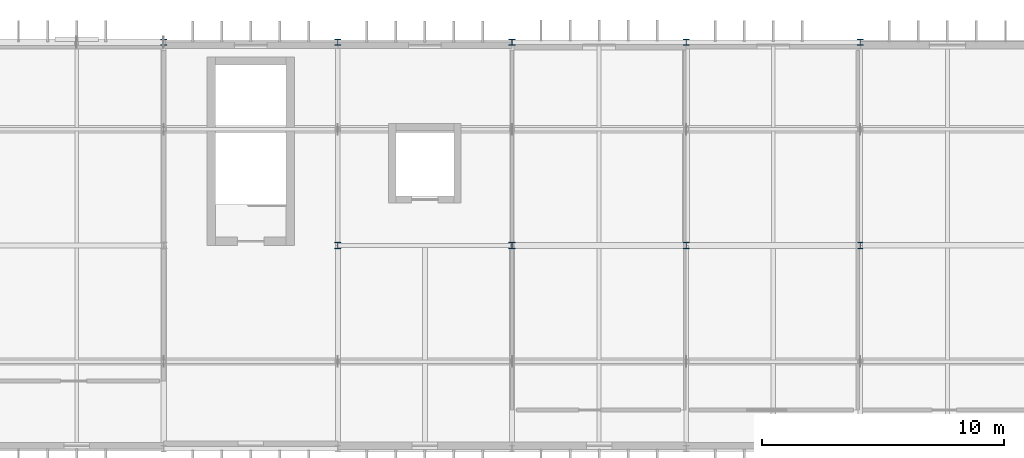
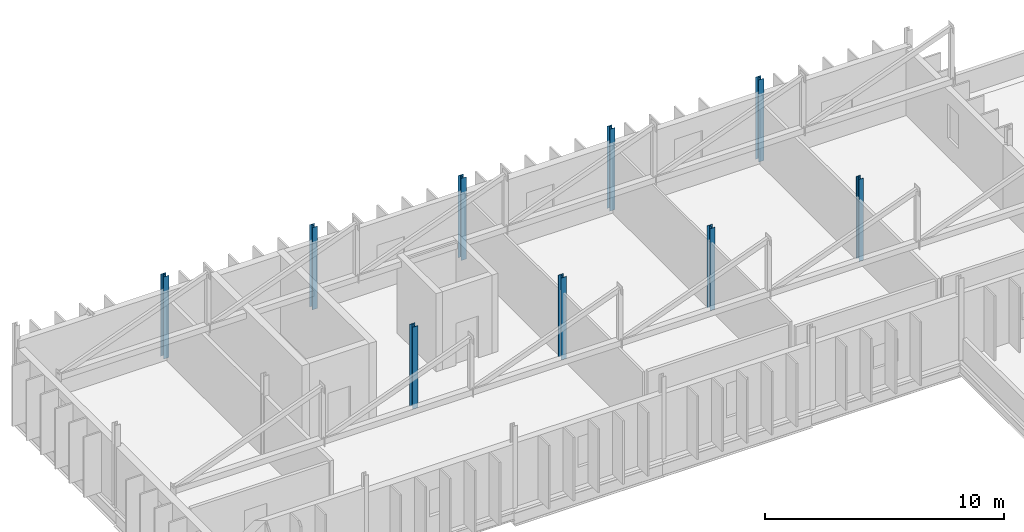
# One storey, part 10 of 52: 9 columns.
"""IFC4 building model written with IfcOpenShell, lengths in metres."""

from ifc_helpers import new_model, si_unit, direction, frame, origin, origin_2d, place, context, subcontext, project, spatial, i_section, extrude, material, material_profile, profile_set, type_object, element, save


model = new_model("IFC4")

# Units and contexts
model_context = context("Model", 3, precision=1e-05, world=origin(), true_north=direction((0.0, 1.0)))
body_context = subcontext(model_context, "Body", "Model", "MODEL_VIEW")
ifc_project = project(units=[si_unit("LENGTHUNIT", "METRE"), si_unit("AREAUNIT", "SQUARE_METRE"), si_unit("VOLUMEUNIT", "CUBIC_METRE"), si_unit("PLANEANGLEUNIT", "RADIAN"), si_unit("MASSUNIT", "GRAM", prefix="KILO")], contexts=[model_context])

# Site, building, storey
site_placement = place(None, origin())
site = spatial("IfcSite", under=ifc_project, at=site_placement, CompositionType="ELEMENT")
building_placement = place(site_placement, origin())
building = spatial("IfcBuilding", under=site, at=building_placement, Name="Qelthora Terrace Specialist Clinic", CompositionType="ELEMENT")
storey_placement = place(building_placement, frame((0.0, 0.0, 17.39990234375)))
storey = spatial("IfcBuildingStorey", under=building, at=storey_placement, Name="L04", CompositionType="ELEMENT", Elevation=17.39990234375)

# Columns
ifc_material = material(Name="Steel S355", Category="steel")
ifc_material_profile_1 = material_profile(ifc_material, i_section(OverallWidth=0.2041015625, OverallDepth=0.257080078125, WebThickness=0.0087890625, FlangeThickness=0.015625, FilletRadius=0.012939453125, at=origin_2d()), Name="W250X67")
ifc_profile_set_1 = profile_set([ifc_material_profile_1], Name="Steel S355")
column_type_1 = type_object("IfcColumnType", Name="COL-W250X67", PredefinedType="COLUMN", material=ifc_profile_set_1)
column_1_placement = place(storey_placement, frame((93.60009765625, 100.800048828125, 0.0), z_axis=(0.0, 0.0, 1.0), x_axis=(1.0, 0.0, 0.0)))
element("IfcColumn", 1, at=column_1_placement, inside=storey, type_object=column_type_1, Name="Column L04-159", PredefinedType="COLUMN", context=body_context, shape_type="SweptSolid", body=[
    extrude(i_section(OverallWidth=0.2041015625, OverallDepth=0.257080078125, WebThickness=0.0087890625, FlangeThickness=0.015625, FilletRadius=0.012939453125, at=origin_2d()), origin(), (0.0, 0.0, 1.0), 4.2001953125),
])
ifc_material_profile_2 = material_profile(ifc_material, i_section(OverallWidth=0.25390625, OverallDepth=0.2529296875, WebThickness=0.008544921875, FlangeThickness=0.01416015625, FilletRadius=0.012939453125, at=origin_2d()), Name="W250X73")
ifc_profile_set_2 = profile_set([ifc_material_profile_2], Name="Steel S355")
column_type_2 = type_object("IfcColumnType", Name="COL-W250X73", PredefinedType="COLUMN", material=ifc_profile_set_2)
column_2_placement = place(storey_placement, frame((86.39990234375, 109.199951171875, 0.0), z_axis=(0.0, 0.0, 1.0), x_axis=(1.0, 0.0, 0.0)))
element("IfcColumn", 2, at=column_2_placement, inside=storey, type_object=column_type_2, Name="Column L04-146", PredefinedType="COLUMN", context=body_context, shape_type="SweptSolid", body=[
    extrude(i_section(OverallWidth=0.25390625, OverallDepth=0.2529296875, WebThickness=0.008544921875, FlangeThickness=0.01416015625, FilletRadius=0.012939453125, at=origin_2d()), origin(), (0.0, 0.0, 1.0), 4.2001953125),
])
ifc_material_profile_3 = material_profile(ifc_material, i_section(OverallWidth=0.2548828125, OverallDepth=0.256103515625, WebThickness=0.009521484375, FlangeThickness=0.015625, FilletRadius=0.012939453125, at=origin_2d()), Name="W250X80")
ifc_profile_set_3 = profile_set([ifc_material_profile_3], Name="Steel S355")
column_type_3 = type_object("IfcColumnType", Name="COL-W250X80", PredefinedType="COLUMN", material=ifc_profile_set_3)
for number, where, z_axis, x_axis, name in (
    (3, (64.800048828125, 109.199951171875, 0.0), (0.0, 0.0, 1.0), (1.0, 0.0, 0.0), "Column L04-121"),
    (4, (72.0, 109.199951171875, 0.0), (0.0, 0.0, 1.0), (1.0, 0.0, 0.0), "Column L04-129"),
    (5, (79.199951171875, 109.199951171875, 0.0), (0.0, 0.0, 1.0), (1.0, 0.0, 0.0), "Column L04-137"),
    (6, (86.39990234375, 100.800048828125, 0.0), (0.0, 0.0, 1.0), (1.0, 0.0, 0.0), "Column L04-145"),
):
    element("IfcColumn", number, at=place(storey_placement, frame(where, z_axis=z_axis, x_axis=x_axis)), inside=storey, type_object=column_type_3, Name=name, PredefinedType="COLUMN", context=body_context, shape_type="SweptSolid", body=[
        extrude(i_section(OverallWidth=0.2548828125, OverallDepth=0.256103515625, WebThickness=0.009521484375, FlangeThickness=0.015625, FilletRadius=0.012939453125, at=origin_2d()), origin(), (0.0, 0.0, 1.0), 4.2001953125),
    ])
ifc_material_profile_4 = material_profile(ifc_material, i_section(OverallWidth=0.256103515625, OverallDepth=0.260009765625, WebThickness=0.0107421875, FlangeThickness=0.017333984375, FilletRadius=0.012939453125, at=origin_2d()), Name="W250X89")
ifc_profile_set_4 = profile_set([ifc_material_profile_4], Name="Steel S355")
column_type_4 = type_object("IfcColumnType", Name="COL-W250X89", PredefinedType="COLUMN", material=ifc_profile_set_4)
for number, where, z_axis, x_axis, name in (
    (7, (72.0, 100.800048828125, 0.0), (0.0, 0.0, 1.0), (1.0, 0.0, 0.0), "Column L04-128"),
    (8, (79.199951171875, 100.800048828125, 0.0), (0.0, 0.0, 1.0), (1.0, 0.0, 0.0), "Column L04-136"),
    (9, (93.60009765625, 109.199951171875, 0.0), (0.0, 0.0, 1.0), (1.0, 0.0, 0.0), "Column L04-160"),
):
    element("IfcColumn", number, at=place(storey_placement, frame(where, z_axis=z_axis, x_axis=x_axis)), inside=storey, type_object=column_type_4, Name=name, PredefinedType="COLUMN", context=body_context, shape_type="SweptSolid", body=[
        extrude(i_section(OverallWidth=0.256103515625, OverallDepth=0.260009765625, WebThickness=0.0107421875, FlangeThickness=0.017333984375, FilletRadius=0.012939453125, at=origin_2d()), origin(), (0.0, 0.0, 1.0), 4.2001953125),
    ])

save(model, "model.ifc")
